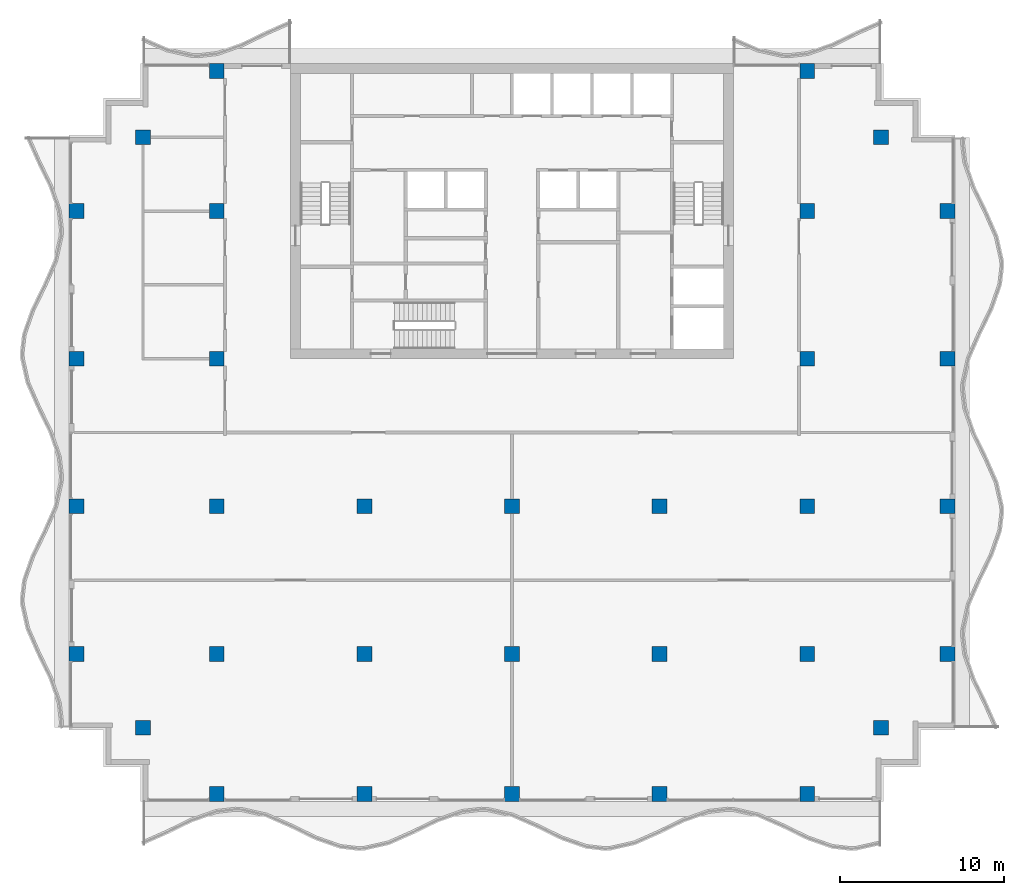
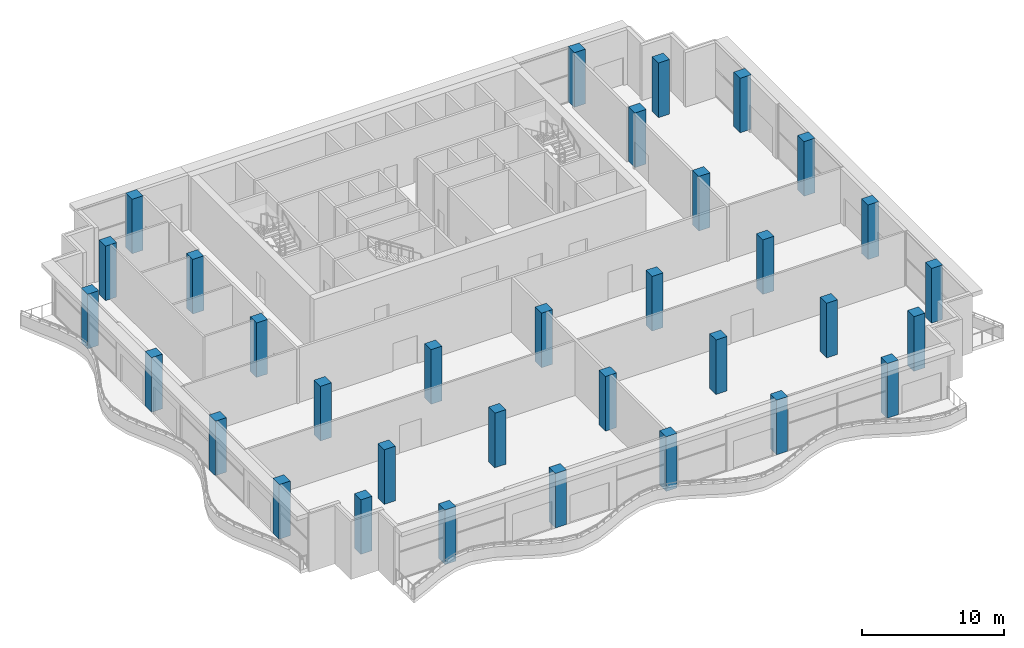
# One storey, part 1 of 14: 33 columns.
"""IFC4 building model written with IfcOpenShell, lengths in metres."""

from ifc_helpers import new_model, si_unit, direction, frame, origin, origin_2d, place, context, subcontext, project, spatial, rectangle, extrude, material, material_profile, profile_set, type_object, element, save


model = new_model("IFC4")

# Units and contexts
model_context = context("Model", 3, precision=1e-05, world=origin(), true_north=direction((0.0, 1.0)))
body_context = subcontext(model_context, "Body", "Model", "MODEL_VIEW")
ifc_project = project(units=[si_unit("LENGTHUNIT", "METRE"), si_unit("AREAUNIT", "SQUARE_METRE"), si_unit("VOLUMEUNIT", "CUBIC_METRE"), si_unit("PLANEANGLEUNIT", "RADIAN"), si_unit("MASSUNIT", "GRAM", prefix="KILO")], contexts=[model_context])

# Site, building, storey
site_placement = place(None, origin())
site = spatial("IfcSite", under=ifc_project, at=site_placement, CompositionType="ELEMENT")
building_placement = place(site_placement, origin())
building = spatial("IfcBuilding", under=site, at=building_placement, Name="Orbiselva Terraces", CompositionType="ELEMENT")
storey_placement = place(building_placement, frame((0.0, 0.0, 284.4)))
storey = spatial("IfcBuildingStorey", under=building, at=storey_placement, Name="L72", CompositionType="ELEMENT", Elevation=284.4)

# Columns
ifc_material = material(Name="Concrete C50/60", Category="concrete")
ifc_material_profile_1 = material_profile(ifc_material, rectangle(XDim=0.9, YDim=0.9, at=origin_2d()), Name="RC 900x900")
ifc_profile_set_1 = profile_set([ifc_material_profile_1], Name="Concrete C50/60")
column_type_1 = type_object("IfcColumnType", Name="COLUMN RC 900x900", PredefinedType="COLUMN", material=ifc_profile_set_1)
for number, where, z_axis, x_axis, name in (
    (1, (-18.0, -13.5, 0.0), (0.0, 0.0, 1.0), (1.0, 0.0, 0.0), "Column L72-01"),
    (2, (-18.0, -4.5, 0.0), (0.0, 0.0, 1.0), (1.0, 0.0, 0.0), "Column L72-03"),
    (3, (-18.0, 13.5, 0.0), (0.0, 0.0, 1.0), (1.0, 0.0, 0.0), "Column L72-04"),
    (4, (-18.0, 4.5, 0.0), (0.0, 0.0, 1.0), (1.0, 0.0, 0.0), "Column L72-06"),
    (5, (-9.0, -13.5, 0.0), (0.0, 0.0, 1.0), (1.0, 0.0, 0.0), "Column L72-13"),
    (6, (-9.0, -4.5, 0.0), (0.0, 0.0, 1.0), (1.0, 0.0, 0.0), "Column L72-15"),
    (7, (0.0, -13.5, 0.0), (0.0, 0.0, 1.0), (1.0, 0.0, 0.0), "Column L72-16"),
    (8, (0.0, -4.5, 0.0), (0.0, 0.0, 1.0), (1.0, 0.0, 0.0), "Column L72-18"),
    (9, (18.0, -13.5, 0.0), (0.0, 0.0, 1.0), (1.0, 0.0, 0.0), "Column L72-19"),
    (10, (18.0, -4.5, 0.0), (0.0, 0.0, 1.0), (1.0, 0.0, 0.0), "Column L72-21"),
    (11, (18.0, 13.5, 0.0), (0.0, 0.0, 1.0), (1.0, 0.0, 0.0), "Column L72-22"),
    (12, (18.0, 4.5, 0.0), (0.0, 0.0, 1.0), (1.0, 0.0, 0.0), "Column L72-24"),
    (13, (9.0, -13.5, 0.0), (0.0, 0.0, 1.0), (1.0, 0.0, 0.0), "Column L72-31"),
    (14, (9.0, -4.5, 0.0), (0.0, 0.0, 1.0), (1.0, 0.0, 0.0), "Column L72-33"),
):
    element("IfcColumn", number, at=place(storey_placement, frame(where, z_axis=z_axis, x_axis=x_axis)), inside=storey, type_object=column_type_1, Name=name, PredefinedType="COLUMN", context=body_context, shape_type="SweptSolid", body=[
        extrude(rectangle(XDim=0.9, YDim=0.9, at=origin_2d()), origin(), (0.0, 0.0, 1.0), 4.7),
    ])
ifc_material_profile_2 = material_profile(ifc_material, rectangle(XDim=0.9, YDim=0.9, at=origin_2d()), Name="RC 900x900")
ifc_profile_set_2 = profile_set([ifc_material_profile_2], Name="Concrete C50/60")
column_type_2 = type_object("IfcColumnType", Name="PERIMETER COLUMN RC 900x900", PredefinedType="COLUMN", material=ifc_profile_set_2)
for number, where, z_axis, x_axis, name in (
    (15, (-18.0, -22.05, 0.0), (0.0, 0.0, 1.0), (1.0, 0.0, 0.0), "Column L72-02"),
    (16, (-18.0, 22.05, 0.0), (0.0, 0.0, 1.0), (1.0, 0.0, 0.0), "Column L72-05"),
    (17, (-26.55, -13.5, 0.0), (0.0, 0.0, 1.0), (1.0, 0.0, 0.0), "Column L72-07"),
    (18, (-22.5, -18.0, 0.0), (0.0, 0.0, 1.0), (1.0, 0.0, 0.0), "Column L72-08"),
    (19, (-26.55, -4.5, 0.0), (0.0, 0.0, 1.0), (1.0, 0.0, 0.0), "Column L72-09"),
    (20, (-26.55, 13.5, 0.0), (0.0, 0.0, 1.0), (1.0, 0.0, 0.0), "Column L72-10"),
    (21, (-22.5, 18.0, 0.0), (0.0, 0.0, 1.0), (1.0, 0.0, 0.0), "Column L72-11"),
    (22, (-26.55, 4.5, 0.0), (0.0, 0.0, 1.0), (1.0, 0.0, 0.0), "Column L72-12"),
    (23, (-9.0, -22.05, 0.0), (0.0, 0.0, 1.0), (1.0, 0.0, 0.0), "Column L72-14"),
    (24, (0.0, -22.05, 0.0), (0.0, 0.0, 1.0), (1.0, 0.0, 0.0), "Column L72-17"),
    (25, (18.0, -22.05, 0.0), (0.0, 0.0, 1.0), (1.0, 0.0, 0.0), "Column L72-20"),
    (26, (18.0, 22.05, 0.0), (0.0, 0.0, 1.0), (1.0, 0.0, 0.0), "Column L72-23"),
    (27, (26.55, -13.5, 0.0), (0.0, 0.0, 1.0), (1.0, 0.0, 0.0), "Column L72-25"),
    (28, (22.5, -18.0, 0.0), (0.0, 0.0, 1.0), (1.0, 0.0, 0.0), "Column L72-26"),
    (29, (26.55, -4.5, 0.0), (0.0, 0.0, 1.0), (1.0, 0.0, 0.0), "Column L72-27"),
    (30, (26.55, 13.5, 0.0), (0.0, 0.0, 1.0), (1.0, 0.0, 0.0), "Column L72-28"),
    (31, (22.5, 18.0, 0.0), (0.0, 0.0, 1.0), (1.0, 0.0, 0.0), "Column L72-29"),
    (32, (26.55, 4.5, 0.0), (0.0, 0.0, 1.0), (1.0, 0.0, 0.0), "Column L72-30"),
    (33, (9.0, -22.05, 0.0), (0.0, 0.0, 1.0), (1.0, 0.0, 0.0), "Column L72-32"),
):
    element("IfcColumn", number, at=place(storey_placement, frame(where, z_axis=z_axis, x_axis=x_axis)), inside=storey, type_object=column_type_2, Name=name, PredefinedType="COLUMN", context=body_context, shape_type="SweptSolid", body=[
        extrude(rectangle(XDim=0.9, YDim=0.9, at=origin_2d()), origin(), (0.0, 0.0, 1.0), 4.7),
    ])

save(model, "model.ifc")
